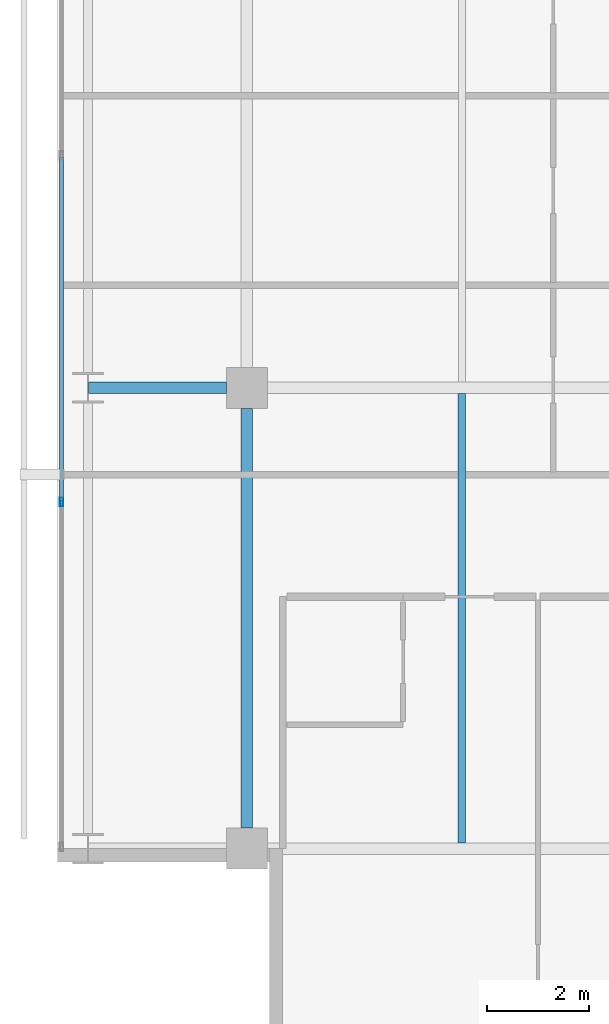
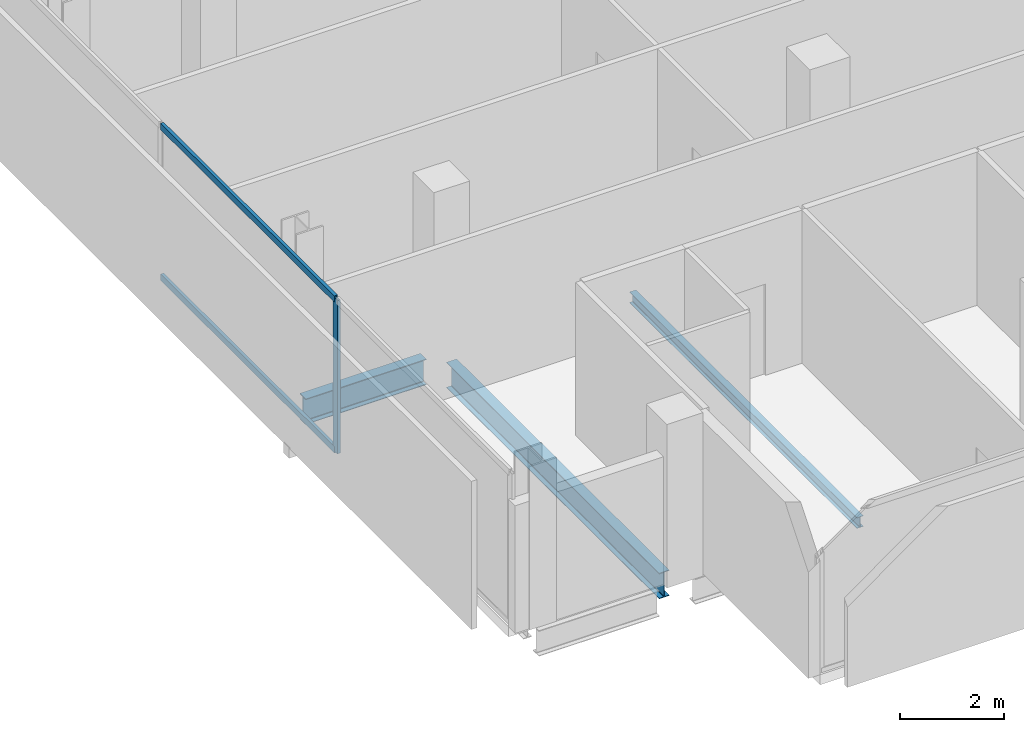
# One storey, part 4 of 34: 3 beams, 3 members, 1 element without a shape of its own.
"""IFC4 building model written with IfcOpenShell, lengths in metres."""

from ifc_helpers import new_model, si_unit, direction, frame, origin, origin_2d, place, context, subcontext, project, spatial, hollow_rectangle, i_section, extrude, material, layer, layer_set, material_profile, profile_set, type_object, element, aggregate, save


model = new_model("IFC4")

# Units and contexts
model_context = context("Model", 3, precision=1e-05, world=origin(), true_north=direction((0.0, 1.0)))
body_context = subcontext(model_context, "Body", "Model", "MODEL_VIEW")
ifc_project = project(units=[si_unit("LENGTHUNIT", "METRE"), si_unit("AREAUNIT", "SQUARE_METRE"), si_unit("VOLUMEUNIT", "CUBIC_METRE"), si_unit("PLANEANGLEUNIT", "RADIAN"), si_unit("MASSUNIT", "GRAM", prefix="KILO")], contexts=[model_context])

# Site, building, storey
site_placement = place(None, origin())
site = spatial("IfcSite", under=ifc_project, at=site_placement, CompositionType="ELEMENT")
building_placement = place(site_placement, origin())
building = spatial("IfcBuilding", under=site, at=building_placement, Name="Maruvema Waterfront Hotel and Observation Tower", CompositionType="ELEMENT")
storey_placement = place(building_placement, frame((0.0, 0.0, 189.0)))
storey = spatial("IfcBuildingStorey", under=building, at=storey_placement, Name="L46", CompositionType="ELEMENT", Elevation=189.0)

# Curtain wall, members
ifc_material_1 = material(Name="Anodised bronze aluminium and solar-control low-E IGU", Category="aluminium")
ifc_layer = layer(ifc_material_1, 0.159912109375, Name="Zone 2 Amber Inner Thermal Curtain Wall System CW-03")
ifc_layer_set = layer_set([ifc_layer], Name="Anodised bronze aluminium and solar-control low-E IGU")
curtain_wall_type = type_object("IfcCurtainWallType", Name="Zone 2 Amber Inner Thermal Curtain Wall System CW-03", PredefinedType="USERDEFINED", material=ifc_layer_set)
curtain_wall_placement = place(storey_placement, origin())
curtain_wall = element("IfcCurtainWall", 1, at=curtain_wall_placement, inside=storey, type_object=curtain_wall_type, Name="L46 Curtain Wall CW-L46-W", ObjectType="UNITISED CURTAIN WALL", PredefinedType="USERDEFINED")
ifc_material_2 = material(Name="Anodised architectural bronze aluminium", Category="aluminium")
ifc_material_profile_1 = material_profile(ifc_material_2, hollow_rectangle(XDim=0.070068359375, YDim=0.14990234375, WallThickness=0.00390625, at=origin_2d()), Name="ALU-T70x150")
ifc_profile_set_1 = profile_set([ifc_material_profile_1], Name="Anodised architectural bronze aluminium")
member_type_1 = type_object("IfcMemberType", Name="Curtain Wall Horizontal Transom ALU-T70x150", PredefinedType="USERDEFINED", material=ifc_profile_set_1)
member_1_placement = place(storey_placement, frame((13.179931640625, 22.50341796875, 0.030029296875), z_axis=(0.0, -1.0, 0.0), x_axis=(1.0, 0.0, 0.0)))
member_1 = element("IfcMember", 2, at=member_1_placement, type_object=member_type_1, Name="CW-03 transom 5.1", ObjectType="TRANSOM", PredefinedType="USERDEFINED", context=body_context, shape_type="SweptSolid", body=[
    extrude(hollow_rectangle(XDim=0.070068359375, YDim=0.14990234375, WallThickness=0.00390625, at=origin_2d()), origin(), (0.0, 0.0, 1.0), 6.706787109375),
])
member_2_placement = place(storey_placement, frame((13.179931640625, 22.50341796875, 3.580078125), z_axis=(0.0, -1.0, 0.0), x_axis=(1.0, 0.0, 0.0)))
member_2 = element("IfcMember", 3, at=member_2_placement, type_object=member_type_1, Name="CW-03 transom 5.2", ObjectType="TRANSOM", PredefinedType="USERDEFINED", context=body_context, shape_type="SweptSolid", body=[
    extrude(hollow_rectangle(XDim=0.070068359375, YDim=0.14990234375, WallThickness=0.00390625, at=origin_2d()), origin(), (0.0, 0.0, 1.0), 6.706787109375),
])
ifc_material_3 = material(Name="Anodised architectural bronze aluminium", Category="aluminium")
ifc_material_profile_2 = material_profile(ifc_material_3, hollow_rectangle(XDim=0.06494140625, YDim=0.1650390625, WallThickness=0.00390625, at=origin_2d()), Name="ALU-M65x165")
ifc_profile_set_2 = profile_set([ifc_material_profile_2], Name="Anodised architectural bronze aluminium")
member_type_2 = type_object("IfcMemberType", Name="Curtain Wall Primary Mullion ALU-M65x165", PredefinedType="MULLION", material=ifc_profile_set_2)
member_3_placement = place(storey_placement, frame((13.179931640625, 15.7666015625, 0.0), z_axis=(0.0, 0.0, 1.0), x_axis=(1.0, 0.0, 0.0)))
member_3 = element("IfcMember", 4, at=member_3_placement, type_object=member_type_2, Name="CW-03 mullion 6", PredefinedType="MULLION", context=body_context, shape_type="SweptSolid", body=[
    extrude(hollow_rectangle(XDim=0.06494140625, YDim=0.1650390625, WallThickness=0.00390625, at=origin_2d()), origin(), (0.0, 0.0, 1.0), 3.610107421875),
])
aggregate(curtain_wall, [member_3, member_1, member_2])

# Beams
ifc_material_4 = material(Name="Steel ASTM A572 Grade 50", Category="steel")
ifc_material_profile_3 = material_profile(ifc_material_4, i_section(OverallWidth=0.22802734375, OverallDepth=0.60302734375, WebThickness=0.010498046875, FlangeThickness=0.014892578125, FilletRadius=0.01806640625, at=origin_2d()), Name="W610x101.0")
ifc_profile_set_3 = profile_set([ifc_material_profile_3], Name="Steel ASTM A572 Grade 50")
beam_type_1 = type_object("IfcBeamType", Name="Primary Floor Girder W610x101.0", PredefinedType="BEAM", material=ifc_profile_set_3)
beam_1_placement = place(storey_placement, frame((13.71240234375, 18.0, -0.54150390625), z_axis=(1.0, 0.0, 0.0), x_axis=(0.0, 1.0, 0.0)))
element("IfcBeam", 5, at=beam_1_placement, inside=storey, type_object=beam_type_1, Name="L46 Floor Girder EW-11", PredefinedType="BEAM", context=body_context, shape_type="SweptSolid", body=[
    extrude(i_section(OverallWidth=0.22802734375, OverallDepth=0.60302734375, WebThickness=0.010498046875, FlangeThickness=0.014892578125, FilletRadius=0.01806640625, at=origin_2d()), origin(), (0.0, 0.0, 1.0), 2.6875),
])
beam_2_placement = place(storey_placement, frame((16.800048828125, 9.39990234375, -0.54150390625), z_axis=(0.0, 1.0, 0.0), x_axis=(-1.0, 0.0, 0.0)))
element("IfcBeam", 6, at=beam_2_placement, inside=storey, type_object=beam_type_1, Name="L46 Floor Girder NS-05", PredefinedType="BEAM", context=body_context, shape_type="SweptSolid", body=[
    extrude(i_section(OverallWidth=0.22802734375, OverallDepth=0.60302734375, WebThickness=0.010498046875, FlangeThickness=0.014892578125, FilletRadius=0.01806640625, at=origin_2d()), origin(), (0.0, 0.0, 1.0), 8.2001953125),
])
ifc_material_5 = material(Name="Steel ASTM A572 Grade 50", Category="steel")
ifc_material_profile_4 = material_profile(ifc_material_5, i_section(OverallWidth=0.14599609375, OverallDepth=0.258056640625, WebThickness=0.006103515625, FlangeThickness=0.009033203125, FilletRadius=0.012939453125, at=origin_2d()), Name="W250x32.7")
ifc_profile_set_4 = profile_set([ifc_material_profile_4], Name="Steel ASTM A572 Grade 50")
beam_type_2 = type_object("IfcBeamType", Name="Secondary Floor Joist W250x32.7", PredefinedType="JOIST", material=ifc_profile_set_4)
beam_3_placement = place(storey_placement, frame((21.0, 9.114013671875, -0.368896484375), z_axis=(0.0, 1.0, 0.0), x_axis=(-1.0, 0.0, 0.0)))
element("IfcBeam", 7, at=beam_3_placement, inside=storey, type_object=beam_type_2, Name="L46 Secondary Floor Joist JS-01", PredefinedType="JOIST", context=body_context, shape_type="SweptSolid", body=[
    extrude(i_section(OverallWidth=0.14599609375, OverallDepth=0.258056640625, WebThickness=0.006103515625, FlangeThickness=0.009033203125, FilletRadius=0.012939453125, at=origin_2d()), origin(), (0.0, 0.0, 1.0), 8.77197265625),
])

save(model, "model.ifc")
